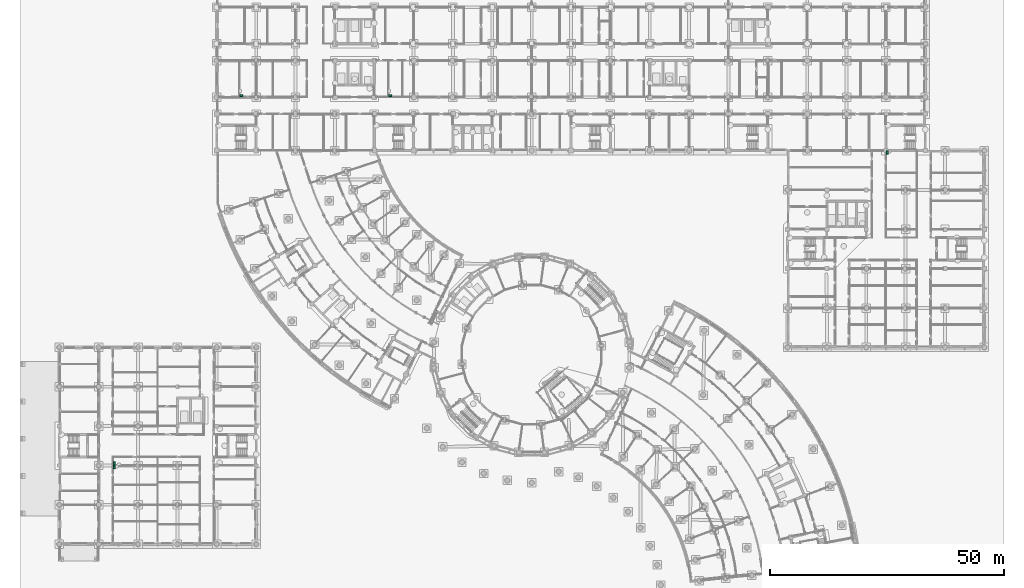
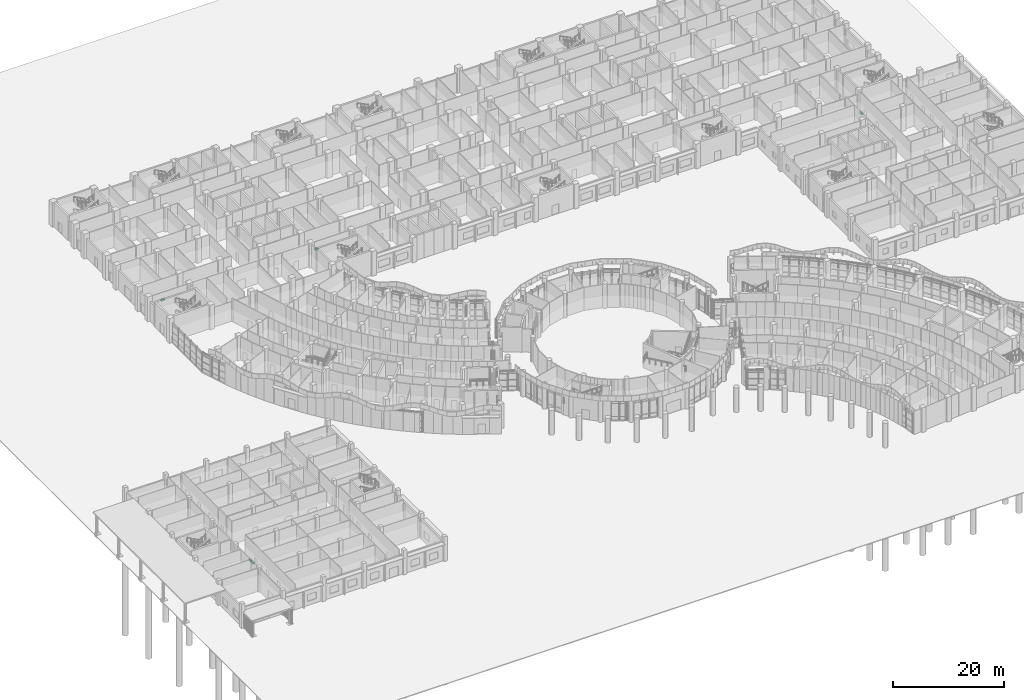
# One storey, part 145 of 146: 5 sanitary terminals.
"""IFC4 building model written with IfcOpenShell, lengths in metres."""

from ifc_helpers import new_model, si_unit, direction, frame, origin, origin_2d, place, context, subcontext, project, spatial, rectangle, extrude, material, type_object, element, save


model = new_model("IFC4")

# Units and contexts
model_context = context("Model", 3, precision=1e-05, world=origin(), true_north=direction((0.0, 1.0)))
body_context = subcontext(model_context, "Body", "Model", "MODEL_VIEW")
ifc_project = project(units=[si_unit("LENGTHUNIT", "METRE"), si_unit("AREAUNIT", "SQUARE_METRE"), si_unit("VOLUMEUNIT", "CUBIC_METRE"), si_unit("PLANEANGLEUNIT", "RADIAN"), si_unit("MASSUNIT", "GRAM", prefix="KILO")], contexts=[model_context])

# Site, building, storey
site_placement = place(None, origin())
site = spatial("IfcSite", under=ifc_project, at=site_placement, CompositionType="ELEMENT")
building_placement = place(site_placement, origin())
building = spatial("IfcBuilding", under=site, at=building_placement, Name="Bougainvillea Quay General Hospital", CompositionType="ELEMENT")
storey_placement = place(building_placement, origin())
storey = spatial("IfcBuildingStorey", under=building, at=storey_placement, Name="L00", CompositionType="ELEMENT", Elevation=0.0)

# Sanitary terminals
ifc_material = material(Name="Vitreous china")
sanitary_terminal_type = type_object("IfcSanitaryTerminalType", Name="Wall-hung toilet pan 400x700", PredefinedType="TOILETPAN", material=ifc_material)
for number, where, z_axis, x_axis, name in (
    (1, (20.10009765625, 50.800048828125, 0.0), (0.0, 0.0, 1.0), (-1.0, 0.0, 0.0), "Wall-hung toilet pan"),
    (2, (20.10009765625, 50.0, 0.0), (0.0, 0.0, 1.0), (1.0, 0.0, 0.0), "Wall-hung toilet pan"),
    (3, (185.10009765625, 117.199951171875, 0.0), (0.0, 0.0, 1.0), (1.0, 0.0, 0.0), "Wall-hung toilet pan"),
    (4, (47.199951171875, 129.300048828125, 0.0), (0.0, 0.0, 1.0), (0.0, 1.0, 0.0), "Wall-hung toilet pan"),
    (5, (79.0, 129.300048828125, 0.0), (0.0, 0.0, 1.0), (0.0, 1.0, 0.0), "Wall-hung toilet pan"),
):
    element("IfcSanitaryTerminal", number, at=place(storey_placement, frame(where, z_axis=z_axis, x_axis=x_axis)), inside=storey, type_object=sanitary_terminal_type, Name=name, PredefinedType="TOILETPAN", context=body_context, shape_type="SweptSolid", body=[
        extrude(rectangle(XDim=0.39990234375, YDim=0.699951171875, at=origin_2d()), origin(), (0.0, 0.0, 1.0), 0.39990234375),
    ])

save(model, "model.ifc")
